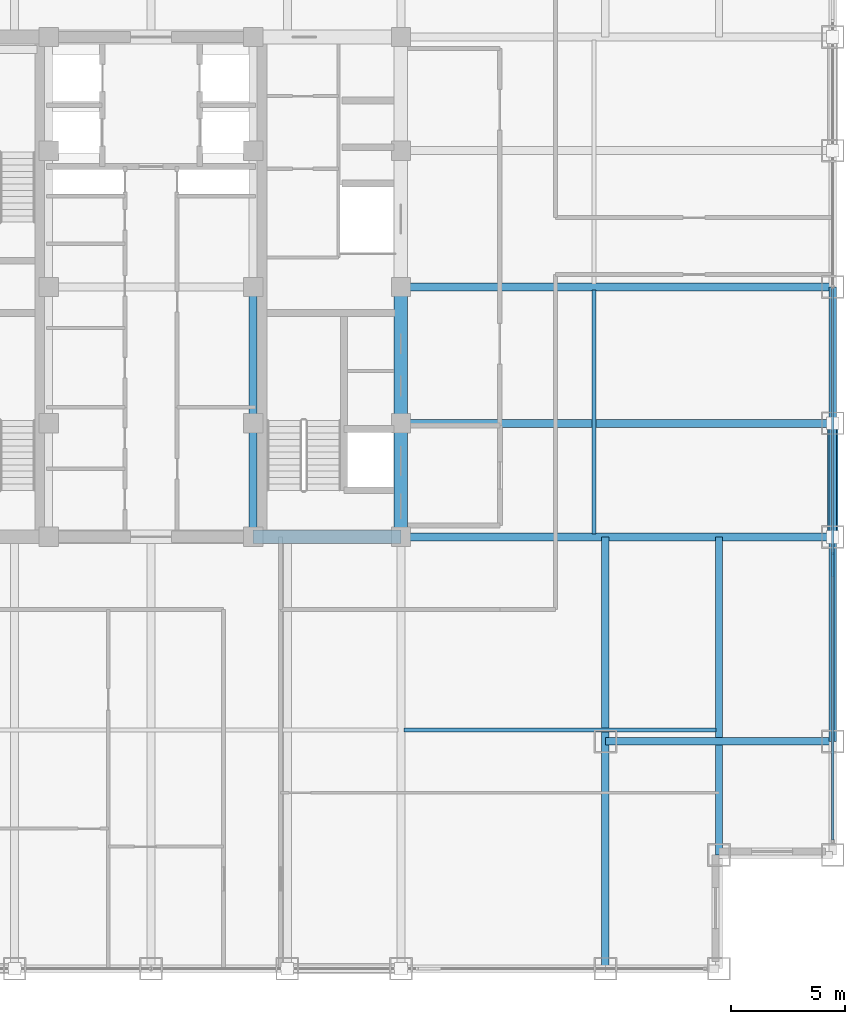
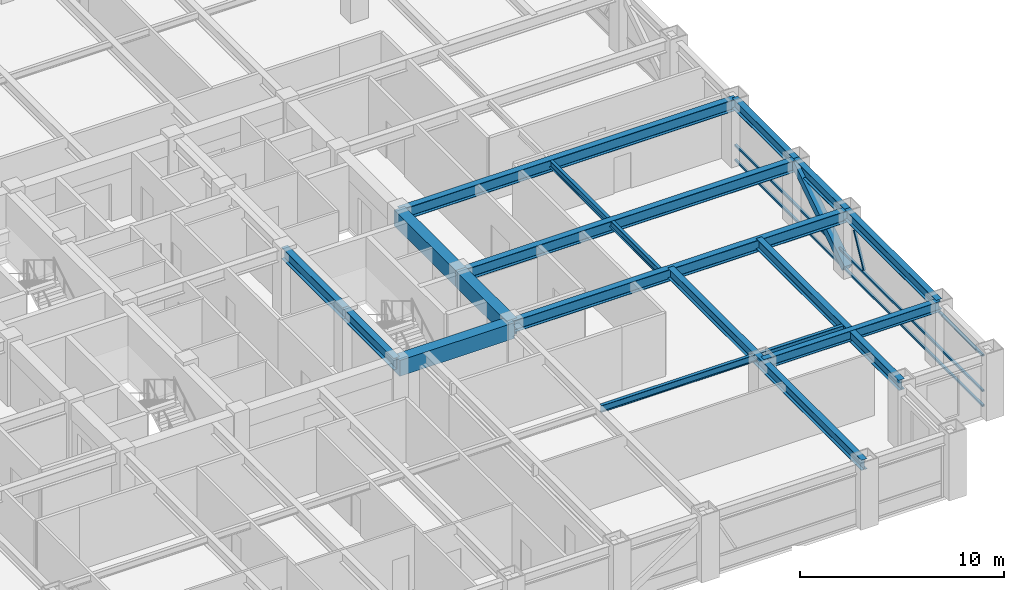
# One storey, part 9 of 24: 16 beams, 5 members, 1 element without a shape of its own.
"""IFC4 building model written with IfcOpenShell, lengths in metres."""

from ifc_helpers import new_model, si_unit, direction, frame, origin, origin_2d, place, context, subcontext, project, spatial, rectangle, hollow_rectangle, i_section, extrude, source, transform, mapped, material, material_profile, profile_set, type_object, element, aggregate, save


model = new_model("IFC4")

# Units and contexts
model_context = context("Model", 3, precision=1e-05, world=origin(), true_north=direction((0.0, 1.0)))
body_context = subcontext(model_context, "Body", "Model", "MODEL_VIEW")
ifc_project = project(units=[si_unit("LENGTHUNIT", "METRE"), si_unit("AREAUNIT", "SQUARE_METRE"), si_unit("VOLUMEUNIT", "CUBIC_METRE"), si_unit("PLANEANGLEUNIT", "RADIAN"), si_unit("MASSUNIT", "GRAM", prefix="KILO")], contexts=[model_context])

# Site, building, storey
site_placement = place(None, origin())
site = spatial("IfcSite", under=ifc_project, at=site_placement, CompositionType="ELEMENT")
building_placement = place(site_placement, origin())
building = spatial("IfcBuilding", under=site, at=building_placement, Name="Khorayat Bourse Tower", CompositionType="ELEMENT")
storey_placement = place(building_placement, frame((0.0, 0.0, 215.10009765625)))
storey = spatial("IfcBuildingStorey", under=building, at=storey_placement, Name="L50", CompositionType="ELEMENT", Elevation=215.10009765625)

# Beams
ifc_material_1 = material(Name="Steel ASTM A992 Grade 50", Category="steel")
ifc_material_profile_1 = material_profile(ifc_material_1, i_section(OverallWidth=0.35498046875, OverallDepth=0.695068359375, WebThickness=0.015380859375, FlangeThickness=0.02490234375, FilletRadius=0.01806640625, at=origin_2d()), Name="W690X217")
ifc_profile_set_1 = profile_set([ifc_material_profile_1], Name="Steel ASTM A992 Grade 50")
beam_type_1 = type_object("IfcBeamType", Name="BM-GIRD-690", PredefinedType="BEAM", material=ifc_profile_set_1)
shared_shape_1 = source(origin(), body_context, "Body", "SweptSolid", [
    extrude(i_section(OverallWidth=0.35498046875, OverallDepth=0.695068359375, WebThickness=0.015380859375, FlangeThickness=0.02490234375, FilletRadius=0.01806640625, at=origin_2d()), origin(), (0.0, 0.0, 1.0), 5.0),
])
beam_1_placement = place(storey_placement, frame((4.5, -11.0, 3.432373046875), z_axis=(0.0, 1.0, 0.0), x_axis=(-1.0, 0.0, 0.0)))
element("IfcBeam", 1, at=beam_1_placement, inside=storey, type_object=beam_type_1, Name="L50 BM-GIRD-690 BM-L50-CRX-09", PredefinedType="BEAM", context=body_context, shape_type="MappedRepresentation", body=[
    mapped(shared_shape_1, transform((0.0, 0.0, 0.0), scale=1.0)),
])
shared_shape_2 = source(origin(), body_context, "Body", "SweptSolid", [
    extrude(i_section(OverallWidth=0.35498046875, OverallDepth=0.695068359375, WebThickness=0.015380859375, FlangeThickness=0.02490234375, FilletRadius=0.01806640625, at=origin_2d()), origin(), (0.0, 0.0, 1.0), 6.0),
])
beam_2_placement = place(storey_placement, frame((4.5, -6.0, 3.432373046875), z_axis=(0.0, 1.0, 0.0), x_axis=(-1.0, 0.0, 0.0)))
element("IfcBeam", 2, at=beam_2_placement, inside=storey, type_object=beam_type_1, Name="L50 BM-GIRD-690 BM-L50-CRX-10", PredefinedType="BEAM", context=body_context, shape_type="MappedRepresentation", body=[
    mapped(shared_shape_2, transform((0.0, 0.0, 0.0), scale=1.0)),
])
ifc_material_profile_2 = material_profile(ifc_material_1, i_section(OverallWidth=0.324951171875, OverallDepth=0.615966796875, WebThickness=0.013916015625, FlangeThickness=0.021484375, FilletRadius=0.01611328125, at=origin_2d()), Name="W610X174")
ifc_profile_set_2 = profile_set([ifc_material_profile_2], Name="Steel ASTM A992 Grade 50")
beam_type_2 = type_object("IfcBeamType", Name="BM-GIRD-610", PredefinedType="BEAM", material=ifc_profile_set_2)
shared_shape_3 = source(origin(), body_context, "Body", "SweptSolid", [
    extrude(i_section(OverallWidth=0.324951171875, OverallDepth=0.615966796875, WebThickness=0.013916015625, FlangeThickness=0.021484375, FilletRadius=0.01611328125, at=origin_2d()), origin(), (0.0, 0.0, 1.0), 19.0),
])
beam_3_placement = place(storey_placement, frame((20.0, -30.0, 3.471923828125), z_axis=(0.0, 1.0, 0.0), x_axis=(-1.0, 0.0, 0.0)))
element("IfcBeam", 3, at=beam_3_placement, inside=storey, type_object=beam_type_2, Name="L50 BM-GIRD-610 BM-L50-CNRY-086", PredefinedType="BEAM", context=body_context, shape_type="MappedRepresentation", body=[
    mapped(shared_shape_3, transform((0.0, 0.0, 0.0), scale=1.0)),
])
shared_shape_4 = source(origin(), body_context, "Body", "SweptSolid", [
    extrude(i_section(OverallWidth=0.324951171875, OverallDepth=0.615966796875, WebThickness=0.013916015625, FlangeThickness=0.021484375, FilletRadius=0.01611328125, at=origin_2d()), origin(), (0.0, 0.0, 1.0), 10.0),
])
beam_4_placement = place(storey_placement, frame((20.0, -20.0, 3.471923828125), z_axis=(1.0, 0.0, 0.0), x_axis=(0.0, 1.0, 0.0)))
element("IfcBeam", 4, at=beam_4_placement, inside=storey, type_object=beam_type_2, Name="L50 BM-GIRD-610 BM-L50-CNRX-092", PredefinedType="BEAM", context=body_context, shape_type="MappedRepresentation", body=[
    mapped(shared_shape_4, transform((0.0, 0.0, 0.0), scale=1.0)),
])
ifc_material_profile_3 = material_profile(ifc_material_1, i_section(OverallWidth=0.180908203125, OverallDepth=0.4169921875, WebThickness=0.010986328125, FlangeThickness=0.018310546875, FilletRadius=0.011962890625, at=origin_2d()), Name="W410X85")
ifc_profile_set_3 = profile_set([ifc_material_profile_3], Name="Steel ASTM A992 Grade 50")
beam_type_3 = type_object("IfcBeamType", Name="BM-JOIST-410", PredefinedType="JOIST", material=ifc_profile_set_3)
shared_shape_5 = source(origin(), body_context, "Body", "SweptSolid", [
    extrude(i_section(OverallWidth=0.180908203125, OverallDepth=0.4169921875, WebThickness=0.010986328125, FlangeThickness=0.018310546875, FilletRadius=0.011962890625, at=origin_2d()), origin(), (0.0, 0.0, 1.0), 10.740234375),
])
beam_5_placement = place(storey_placement, frame((19.5, -10.8701171875, 3.5712890625), z_axis=(0.0, 1.0, 0.0), x_axis=(-1.0, 0.0, 0.0)))
element("IfcBeam", 5, at=beam_5_placement, inside=storey, type_object=beam_type_3, Name="L50 BM-JOIST-410 BM-L50-JSTY-104", PredefinedType="JOIST", context=body_context, shape_type="MappedRepresentation", body=[
    mapped(shared_shape_5, transform((0.0, 0.0, 0.0), scale=1.0)),
])
ifc_material_profile_4 = material_profile(ifc_material_1, i_section(OverallWidth=0.324951171875, OverallDepth=0.615966796875, WebThickness=0.013916015625, FlangeThickness=0.021484375, FilletRadius=0.01611328125, at=origin_2d()), Name="W610X174")
ifc_profile_set_4 = profile_set([ifc_material_profile_4], Name="Steel ASTM A992 Grade 50")
beam_type_4 = type_object("IfcBeamType", Name="BM-SPAN-610", PredefinedType="SPANDREL", material=ifc_profile_set_4)
shared_shape_6 = source(origin(), body_context, "Body", "SweptSolid", [
    extrude(i_section(OverallWidth=0.324951171875, OverallDepth=0.615966796875, WebThickness=0.013916015625, FlangeThickness=0.021484375, FilletRadius=0.01611328125, at=origin_2d()), origin(), (0.0, 0.0, 1.0), 9.0),
])
beam_6_placement = place(storey_placement, frame((30.0, -20.0, 3.471923828125), z_axis=(0.0, 1.0, 0.0), x_axis=(-1.0, 0.0, 0.0)))
element("IfcBeam", 6, at=beam_6_placement, inside=storey, type_object=beam_type_4, Name="L50 BM-SPAN-610 BM-L50-SPN-035", PredefinedType="SPANDREL", context=body_context, shape_type="MappedRepresentation", body=[
    mapped(shared_shape_6, transform((0.0, 0.0, 0.0), scale=1.0)),
])
shared_shape_7 = source(origin(), body_context, "Body", "SweptSolid", [
    extrude(i_section(OverallWidth=0.324951171875, OverallDepth=0.615966796875, WebThickness=0.013916015625, FlangeThickness=0.021484375, FilletRadius=0.01611328125, at=origin_2d()), origin(), (0.0, 0.0, 1.0), 5.0),
])
beam_7_placement = place(storey_placement, frame((30.0, -11.0, 3.471923828125), z_axis=(0.0, 1.0, 0.0), x_axis=(-1.0, 0.0, 0.0)))
element("IfcBeam", 7, at=beam_7_placement, inside=storey, type_object=beam_type_4, Name="L50 BM-SPAN-610 BM-L50-SPN-036", PredefinedType="SPANDREL", context=body_context, shape_type="MappedRepresentation", body=[
    mapped(shared_shape_7, transform((0.0, 0.0, 0.0), scale=1.0)),
])
shared_shape_8 = source(origin(), body_context, "Body", "SweptSolid", [
    extrude(i_section(OverallWidth=0.324951171875, OverallDepth=0.615966796875, WebThickness=0.013916015625, FlangeThickness=0.021484375, FilletRadius=0.01611328125, at=origin_2d()), origin(), (0.0, 0.0, 1.0), 6.0),
])
beam_8_placement = place(storey_placement, frame((30.0, -6.0, 3.471923828125), z_axis=(0.0, 1.0, 0.0), x_axis=(-1.0, 0.0, 0.0)))
element("IfcBeam", 8, at=beam_8_placement, inside=storey, type_object=beam_type_4, Name="L50 BM-SPAN-610 BM-L50-SPN-037", PredefinedType="SPANDREL", context=body_context, shape_type="MappedRepresentation", body=[
    mapped(shared_shape_8, transform((0.0, 0.0, 0.0), scale=1.0)),
])
ifc_material_2 = material(Name="Concrete C60/75", Category="concrete")
ifc_material_profile_5 = material_profile(ifc_material_2, rectangle(XDim=0.60009765625, YDim=0.949951171875, at=origin_2d()), Name="RC 600x950")
ifc_profile_set_5 = profile_set([ifc_material_profile_5], Name="Concrete C60/75")
beam_type_5 = type_object("IfcBeamType", Name="BM-COUP-950", PredefinedType="BEAM", material=ifc_profile_set_5)
shared_shape_9 = source(origin(), body_context, "Body", "SweptSolid", [
    extrude(rectangle(XDim=0.60009765625, YDim=0.949951171875, at=origin_2d()), origin(), (0.0, 0.0, 1.0), 5.0),
])
beam_9_placement = place(storey_placement, frame((11.0, -11.0, 3.304931640625), z_axis=(0.0, 1.0, 0.0), x_axis=(-1.0, 0.0, 0.0)))
element("IfcBeam", 9, at=beam_9_placement, inside=storey, type_object=beam_type_5, Name="L50 BM-COUP-950 BM-L50-CRX-13", PredefinedType="BEAM", context=body_context, shape_type="MappedRepresentation", body=[
    mapped(shared_shape_9, transform((0.0, 0.0, 0.0), scale=1.0)),
])
shared_shape_10 = source(origin(), body_context, "Body", "SweptSolid", [
    extrude(rectangle(XDim=0.60009765625, YDim=0.949951171875, at=origin_2d()), origin(), (0.0, 0.0, 1.0), 6.0),
])
beam_10_placement = place(storey_placement, frame((11.0, -6.0, 3.304931640625), z_axis=(0.0, 1.0, 0.0), x_axis=(-1.0, 0.0, 0.0)))
element("IfcBeam", 10, at=beam_10_placement, inside=storey, type_object=beam_type_5, Name="L50 BM-COUP-950 BM-L50-CRX-14", PredefinedType="BEAM", context=body_context, shape_type="MappedRepresentation", body=[
    mapped(shared_shape_10, transform((0.0, 0.0, 0.0), scale=1.0)),
])
shared_shape_11 = source(origin(), body_context, "Body", "SweptSolid", [
    extrude(rectangle(XDim=0.60009765625, YDim=0.949951171875, at=origin_2d()), origin(), (0.0, 0.0, 1.0), 6.5),
])
beam_11_placement = place(storey_placement, frame((4.5, -11.0, 3.304931640625), z_axis=(1.0, 0.0, 0.0), x_axis=(0.0, 1.0, 0.0)))
element("IfcBeam", 11, at=beam_11_placement, inside=storey, type_object=beam_type_5, Name="L50 BM-COUP-950 BM-L50-CRY-19", PredefinedType="BEAM", context=body_context, shape_type="MappedRepresentation", body=[
    mapped(shared_shape_11, transform((0.0, 0.0, 0.0), scale=1.0)),
])
shared_shape_12 = source(origin(), body_context, "Body", "SweptSolid", [
    extrude(i_section(OverallWidth=0.35498046875, OverallDepth=0.695068359375, WebThickness=0.015380859375, FlangeThickness=0.02490234375, FilletRadius=0.01806640625, at=origin_2d()), origin(), (0.0, 0.0, 1.0), 19.0),
])
for number, where, z_axis, x_axis, name in (
    (12, (11.0, -11.0, 3.432373046875), (1.0, 0.0, 0.0), (0.0, 1.0, 0.0), "L50 BM-GIRD-690 BM-L50-RADX-074"),
    (13, (11.0, -6.0, 3.432373046875), (1.0, 0.0, 0.0), (0.0, 1.0, 0.0), "L50 BM-GIRD-690 BM-L50-RADX-076"),
    (14, (11.0, 0.0, 3.432373046875), (1.0, 0.0, 0.0), (0.0, 1.0, 0.0), "L50 BM-GIRD-690 BM-L50-RADX-078"),
):
    element("IfcBeam", number, at=place(storey_placement, frame(where, z_axis=z_axis, x_axis=x_axis)), inside=storey, type_object=beam_type_1, Name=name, PredefinedType="BEAM", context=body_context, shape_type="MappedRepresentation", body=[
        mapped(shared_shape_12, transform((0.0, 0.0, 0.0), scale=1.0)),
    ])
shared_shape_13 = source(origin(), body_context, "Body", "SweptSolid", [
    extrude(i_section(OverallWidth=0.324951171875, OverallDepth=0.615966796875, WebThickness=0.013916015625, FlangeThickness=0.021484375, FilletRadius=0.01611328125, at=origin_2d()), origin(), (0.0, 0.0, 1.0), 14.0),
])
beam_12_placement = place(storey_placement, frame((25.0, -25.0, 3.471923828125), z_axis=(0.0, 1.0, 0.0), x_axis=(-1.0, 0.0, 0.0)))
element("IfcBeam", 15, at=beam_12_placement, inside=storey, type_object=beam_type_2, Name="L50 BM-GIRD-610 BM-L50-CNRY-090", PredefinedType="BEAM", context=body_context, shape_type="MappedRepresentation", body=[
    mapped(shared_shape_13, transform((0.0, 0.0, 0.0), scale=1.0)),
])
shared_shape_14 = source(origin(), body_context, "Body", "SweptSolid", [
    extrude(i_section(OverallWidth=0.180908203125, OverallDepth=0.4169921875, WebThickness=0.010986328125, FlangeThickness=0.018310546875, FilletRadius=0.011962890625, at=origin_2d()), origin(), (0.0, 0.0, 1.0), 13.740234375),
])
beam_13_placement = place(storey_placement, frame((11.1298828125, -19.5, 3.5712890625), z_axis=(1.0, 0.0, 0.0), x_axis=(0.0, 1.0, 0.0)))
element("IfcBeam", 16, at=beam_13_placement, inside=storey, type_object=beam_type_3, Name="L50 BM-JOIST-410 BM-L50-JSTX-098", PredefinedType="JOIST", context=body_context, shape_type="MappedRepresentation", body=[
    mapped(shared_shape_14, transform((0.0, 0.0, 0.0), scale=1.0)),
])

# Member
ifc_material_3 = material(Name="Steel EN 10025-4 S460M", Category="steel")
ifc_material_profile_6 = material_profile(ifc_material_3, hollow_rectangle(XDim=0.449951171875, YDim=0.449951171875, WallThickness=0.02490234375, at=origin_2d()), Name="HSS 450x450x25")
ifc_profile_set_6 = profile_set([ifc_material_profile_6], Name="Steel EN 10025-4 S460M")
member_type_1 = type_object("IfcMemberType", Name="MBR-TUBE-450", PredefinedType="BRACE", material=ifc_profile_set_6)
shared_shape_15 = source(origin(), body_context, "Body", "SweptSolid", [
    extrude(hollow_rectangle(XDim=0.449951171875, YDim=0.449951171875, WallThickness=0.02490234375, at=origin_2d()), origin(), (0.0, 0.0, 1.0), 5.979736328125),
])
member_1_placement = place(storey_placement, frame((30.0, -11.0, 0.25), z_axis=(0.0, 0.836160261256, 0.548485202623), x_axis=(-1.0, 0.0, 0.0)))
element("IfcMember", 17, at=member_1_placement, inside=storey, type_object=member_type_1, Name="L50 Perimeter Tube Brace 07", PredefinedType="BRACE", context=body_context, shape_type="MappedRepresentation", body=[
    mapped(shared_shape_15, transform((0.0, 0.0, 0.0), scale=1.0)),
])

# Curtain wall, members
ifc_material_4 = material(Name="Aluminium EN AW-6063 T6", Category="aluminium")
curtain_wall_type = type_object("IfcCurtainWallType", Name="CW-SYS-03", PredefinedType="NOTDEFINED", material=ifc_material_4)
curtain_wall_placement = place(storey_placement, origin())
curtain_wall = element("IfcCurtainWall", 18, at=curtain_wall_placement, inside=storey, type_object=curtain_wall_type, Name="L50 Curtain Wall CW-L50-E1", PredefinedType="NOTDEFINED")
ifc_material_profile_7 = material_profile(ifc_material_4, hollow_rectangle(XDim=0.1201171875, YDim=0.1201171875, WallThickness=0.0048828125, at=origin_2d()), Name="ALU 120x120x5")
ifc_profile_set_7 = profile_set([ifc_material_profile_7], Name="Aluminium EN AW-6063 T6")
member_type_2 = type_object("IfcMemberType", Name="CWM-DIAG-120", PredefinedType="MULLION", material=ifc_profile_set_7)
shared_shape_16 = source(origin(), body_context, "Body", "SweptSolid", [
    extrude(hollow_rectangle(XDim=0.1201171875, YDim=0.1201171875, WallThickness=0.0048828125, at=origin_2d()), origin(), (0.0, 0.0, 1.0), 2.079345703125),
])
member_2_placement = place(storey_placement, frame((30.0, -12.67919921875, 1.08984375), z_axis=(0.0, 0.465760949701, 0.884910581773), x_axis=(-1.0, 0.0, 0.0)))
member_2 = element("IfcMember", 19, at=member_2_placement, type_object=member_type_2, Name="CW-L50-E1 Faceted Diagonal Mullion 1", PredefinedType="MULLION", context=body_context, shape_type="MappedRepresentation", body=[
    mapped(shared_shape_16, transform((0.0, 0.0, 0.0), scale=1.0)),
])
ifc_material_profile_8 = material_profile(ifc_material_4, hollow_rectangle(XDim=0.1201171875, YDim=0.1201171875, WallThickness=0.0048828125, at=origin_2d()), Name="ALU 120x120x5")
ifc_profile_set_8 = profile_set([ifc_material_profile_8], Name="Aluminium EN AW-6063 T6")
member_type_3 = type_object("IfcMemberType", Name="CWT-HORZ-120", PredefinedType="USERDEFINED", material=ifc_profile_set_8)
shared_shape_17 = source(origin(), body_context, "Body", "SweptSolid", [
    extrude(hollow_rectangle(XDim=0.1201171875, YDim=0.1201171875, WallThickness=0.0048828125, at=origin_2d()), origin(), (0.0, 0.0, 1.0), 24.27001953125),
])
member_3_placement = place(storey_placement, frame((30.0, -24.330078125, 0.059814453125), z_axis=(0.0, 1.0, 0.0), x_axis=(-1.0, 0.0, 0.0)))
member_3 = element("IfcMember", 20, at=member_3_placement, type_object=member_type_3, Name="CW-L50-E1 Horizontal Transom 1-1", ObjectType="TRANSOM", PredefinedType="USERDEFINED", context=body_context, shape_type="MappedRepresentation", body=[
    mapped(shared_shape_17, transform((0.0, 0.0, 0.0), scale=1.0)),
])
member_4_placement = place(storey_placement, frame((30.0, -24.330078125, 0.949951171875), z_axis=(0.0, 1.0, 0.0), x_axis=(-1.0, 0.0, 0.0)))
member_4 = element("IfcMember", 21, at=member_4_placement, type_object=member_type_3, Name="CW-L50-E1 Horizontal Transom 1-2", ObjectType="TRANSOM", PredefinedType="USERDEFINED", context=body_context, shape_type="MappedRepresentation", body=[
    mapped(shared_shape_17, transform((0.0, 0.0, 0.0), scale=1.0)),
])
member_5_placement = place(storey_placement, frame((30.0, -24.330078125, 3.06982421875), z_axis=(0.0, 1.0, 0.0), x_axis=(-1.0, 0.0, 0.0)))
member_5 = element("IfcMember", 22, at=member_5_placement, type_object=member_type_3, Name="CW-L50-E1 Horizontal Transom 1-3", ObjectType="TRANSOM", PredefinedType="USERDEFINED", context=body_context, shape_type="MappedRepresentation", body=[
    mapped(shared_shape_17, transform((0.0, 0.0, 0.0), scale=1.0)),
])
aggregate(curtain_wall, [member_3, member_4, member_5, member_2])

save(model, "model.ifc")
